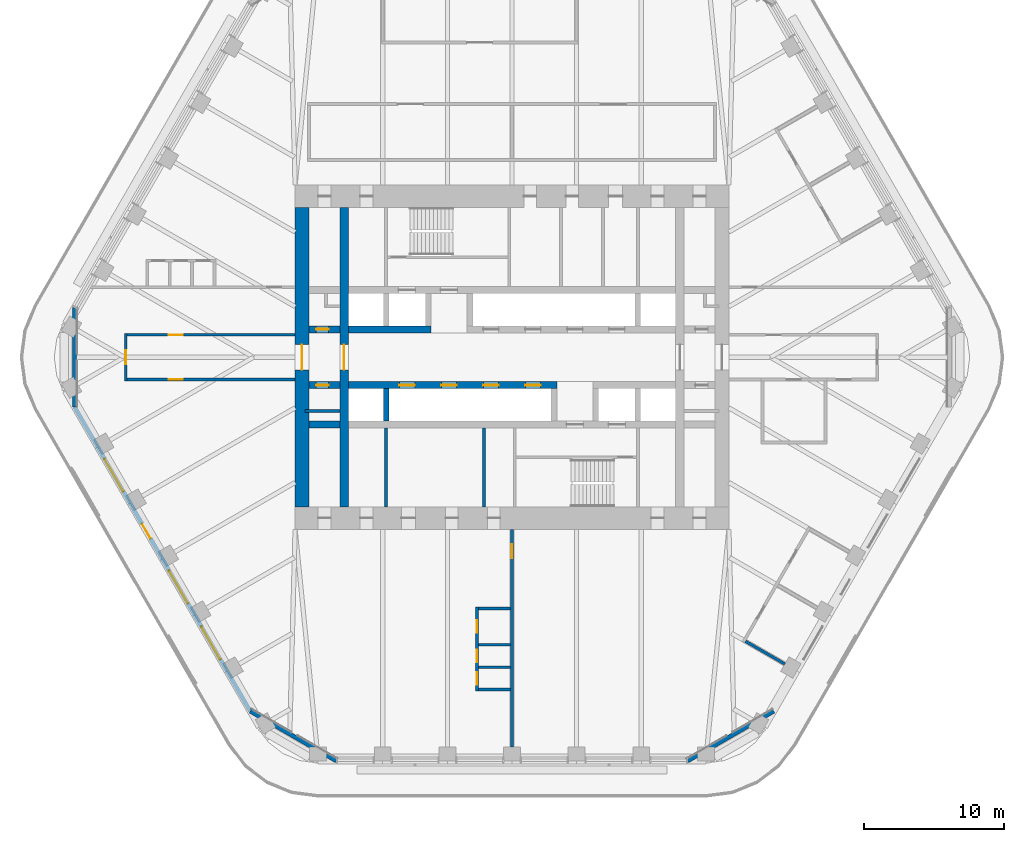
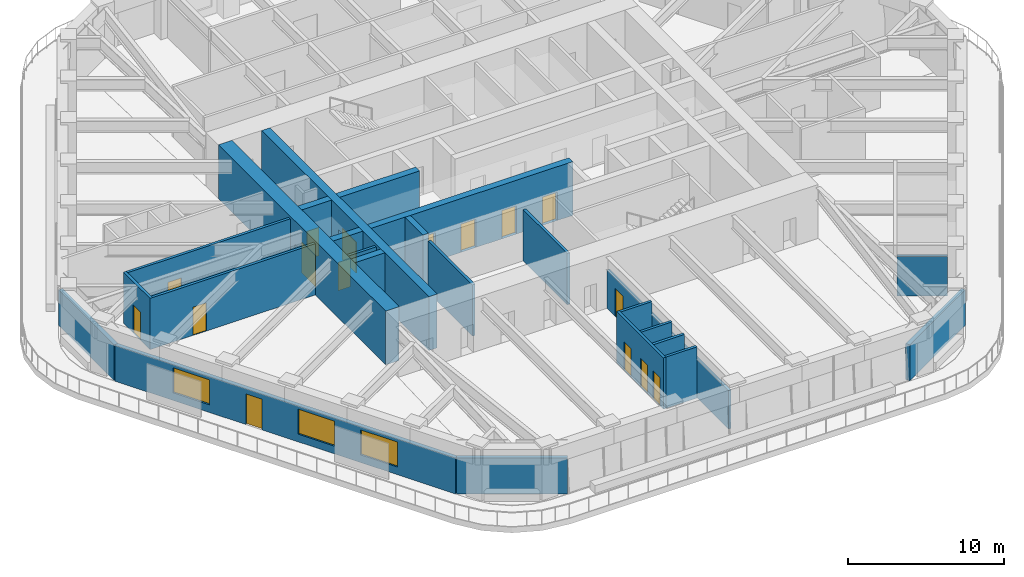
# One storey, part 14 of 20: 25 walls, 16 doors, 3 windows, 19 openings.
"""IFC4 building model written with IfcOpenShell, lengths in metres."""

from ifc_helpers import new_model, si_unit, direction, frame, frame_2d, origin, place, context, subcontext, project, spatial, rectangle, extrude, material, layer, layer_set, type_object, element, fill, save


model = new_model("IFC4")

# Units and contexts
model_context = context("Model", 3, precision=1e-05, world=origin(), true_north=direction((0.0, 1.0)))
body_context = subcontext(model_context, "Body", "Model", "MODEL_VIEW")
ifc_project = project(units=[si_unit("LENGTHUNIT", "METRE"), si_unit("AREAUNIT", "SQUARE_METRE"), si_unit("VOLUMEUNIT", "CUBIC_METRE"), si_unit("PLANEANGLEUNIT", "RADIAN"), si_unit("MASSUNIT", "GRAM", prefix="KILO")], contexts=[model_context])

# Site, building, storey
site_placement = place(None, origin())
site = spatial("IfcSite", under=ifc_project, at=site_placement, CompositionType="ELEMENT")
building_placement = place(site_placement, origin())
building = spatial("IfcBuilding", under=site, at=building_placement, Name="Tarfa Lantern Tower", CompositionType="ELEMENT")
storey_placement = place(building_placement, frame((0.0, 0.0, 274.300048828125)))
storey = spatial("IfcBuildingStorey", under=building, at=storey_placement, Name="L62", CompositionType="ELEMENT", Elevation=274.300048828125)

# Walls
ifc_material_1 = material(Name="Limestone cladding on blockwork", Category="masonry")
ifc_layer_1 = layer(ifc_material_1, 0.300048828125)
ifc_layer_set_1 = layer_set([ifc_layer_1], Name="EW1 STONE-CLAD WALL 300")
wall_type_1 = type_object("IfcWallType", Name="EW1 STONE-CLAD WALL 300", PredefinedType="SOLIDWALL", material=ifc_layer_set_1)
wall_1_placement = place(storey_placement, frame((-31.262939453125, 3.55078125, 0.0), z_axis=(0.0, 0.0, 1.0), x_axis=(0.0, -1.0, 0.0)))
element("IfcWall", 1, at=wall_1_placement, inside=storey, type_object=wall_type_1, Name="Garden wall NW-SW", PredefinedType="SOLIDWALL", context=body_context, shape_type="SweptSolid", body=[
    extrude(rectangle(XDim=7.1015625, YDim=0.300048828125, at=frame_2d((3.55078125, 0.0))), origin(), (0.0, 0.0, 1.0), 2.800048828125),
])
for number, where, z_axis, x_axis, name in (
    (2, (-18.70654296875, -25.299072265625, 0.0), (0.0, 0.0, 1.0), (0.866010973379, -0.500024993363, 0.0), "Garden wall SW-S"),
    (3, (12.556396484375, -28.85009765625, 0.0), (0.0, 0.0, 1.0), (0.866010973379, 0.500024993363, 0.0), "Garden wall S-SE"),
):
    element("IfcWall", number, at=place(storey_placement, frame(where, z_axis=z_axis, x_axis=x_axis)), inside=storey, type_object=wall_type_1, Name=name, PredefinedType="SOLIDWALL", context=body_context, shape_type="SweptSolid", body=[
        extrude(rectangle(XDim=7.101806640625, YDim=0.300048828125, at=frame_2d((3.55078125, 0.0))), origin(), (0.0, 0.0, 1.0), 2.800048828125),
    ])

# Wall, openings, door, windows
wall_2_placement = place(storey_placement, frame((-31.262939453125, -3.55078125, 0.0), z_axis=(0.0, 0.0, 1.0), x_axis=(0.500000442367, -0.866025148383, 0.0)))
wall_2 = element("IfcWall", 4, at=wall_2_placement, inside=storey, type_object=wall_type_1, Name="Stone wall SW", PredefinedType="SOLIDWALL", context=body_context, shape_type="SweptSolid", body=[
    extrude(rectangle(XDim=25.11279296875, YDim=0.300048828125, at=frame_2d((12.556396484375, 0.0))), origin(), (0.0, 0.0, 1.0), 2.800048828125),
])
opening_1_placement = place(wall_2_placement, frame((4.2783203125, 0.0, 0.60009765625)))
opening_1 = element("IfcOpeningElement", 5, at=opening_1_placement, cuts=wall_2, Name="Opening W14", PredefinedType="OPENING", context=body_context, shape_type="SweptSolid", body=[
    extrude(rectangle(XDim=2.699951171875, YDim=1.949951171875, at=frame_2d((1.35009765625, 0.97509765625))), frame((0.0, 0.159912109375, 0.0), z_axis=(0.0, -1.0, 0.0), x_axis=(1.0, 0.0, 0.0)), (0.0, 0.0, 1.0), 0.320068359375),
])
opening_2_placement = place(wall_2_placement, frame((9.64697265625, 0.0, 0.0)))
opening_2 = element("IfcOpeningElement", 6, at=opening_2_placement, cuts=wall_2, Name="Opening D52", PredefinedType="OPENING", context=body_context, shape_type="SweptSolid", body=[
    extrude(rectangle(XDim=1.199951171875, YDim=2.39990234375, at=frame_2d((0.60009765625, 1.199951171875))), frame((0.0, 0.159912109375, 0.0), z_axis=(0.0, -1.0, 0.0), x_axis=(1.0, 0.0, 0.0)), (0.0, 0.0, 1.0), 0.320068359375),
])
opening_3_placement = place(wall_2_placement, frame((13.515869140625, 0.0, 0.60009765625)))
opening_3 = element("IfcOpeningElement", 7, at=opening_3_placement, cuts=wall_2, Name="Opening W14", PredefinedType="OPENING", context=body_context, shape_type="SweptSolid", body=[
    extrude(rectangle(XDim=2.699951171875, YDim=1.949951171875, at=frame_2d((1.35009765625, 0.97509765625))), frame((0.0, 0.159912109375, 0.0), z_axis=(0.0, -1.0, 0.0), x_axis=(1.0, 0.0, 0.0)), (0.0, 0.0, 1.0), 0.320068359375),
])
opening_4_placement = place(wall_2_placement, frame((18.134521484375, 0.0, 0.60009765625)))
opening_4 = element("IfcOpeningElement", 8, at=opening_4_placement, cuts=wall_2, Name="Opening W14", PredefinedType="OPENING", context=body_context, shape_type="SweptSolid", body=[
    extrude(rectangle(XDim=2.699951171875, YDim=1.949951171875, at=frame_2d((1.35009765625, 0.97509765625))), frame((0.0, 0.159912109375, 0.0), z_axis=(0.0, -1.0, 0.0), x_axis=(1.0, 0.0, 0.0)), (0.0, 0.0, 1.0), 0.320068359375),
])
ifc_material_2 = material(Name="Aluminium framed glazed door", Category="aluminium")
door_type_1 = type_object("IfcDoorType", Name="BE3 BALCONY DOOR 1200x2400", OperationType="SINGLE_SWING_RIGHT", PredefinedType="DOOR", material=ifc_material_2)
door_1_placement = place(opening_2_placement, origin())
door_1 = element("IfcDoor", 9, at=door_1_placement, inside=storey, type_object=door_type_1, Name="Balcony door SW", OperationType="SINGLE_SWING_RIGHT", OverallHeight=2.39990234375, OverallWidth=1.199951171875, PredefinedType="DOOR", context=body_context, shape_type="SweptSolid", body=[
    extrude(rectangle(XDim=1.199951171875, YDim=2.39990234375, at=frame_2d((0.60009765625, 1.199951171875))), frame((0.0, 0.02490234375, 0.0), z_axis=(0.0, -1.0, 0.0), x_axis=(1.0, 0.0, 0.0)), (0.0, 0.0, 1.0), 0.050048828125),
])
fill(opening_2, door_1)
ifc_material_3 = material(Name="Aluminium frame, double glazed", Category="aluminium")
window_type = type_object("IfcWindowType", Name="W14 FULL-HEIGHT GLAZING 2700x1950", PartitioningType="SINGLE_PANEL", PredefinedType="WINDOW", material=ifc_material_3)
window_1_placement = place(opening_1_placement, origin())
window_1 = element("IfcWindow", 10, at=window_1_placement, inside=storey, type_object=window_type, Name="Window SW 2", OverallHeight=1.949951171875, OverallWidth=2.699951171875, PartitioningType="SINGLE_PANEL", PredefinedType="WINDOW", context=body_context, shape_type="SweptSolid", body=[
    extrude(rectangle(XDim=2.699951171875, YDim=1.949951171875, at=frame_2d((1.35009765625, 0.97509765625))), frame((0.0, 0.030029296875, 0.0), z_axis=(0.0, -1.0, 0.0), x_axis=(1.0, 0.0, 0.0)), (0.0, 0.0, 1.0), 0.06005859375),
])
fill(opening_1, window_1)
window_2_placement = place(opening_3_placement, origin())
window_2 = element("IfcWindow", 11, at=window_2_placement, inside=storey, type_object=window_type, Name="Window SW 4", OverallHeight=1.949951171875, OverallWidth=2.699951171875, PartitioningType="SINGLE_PANEL", PredefinedType="WINDOW", context=body_context, shape_type="SweptSolid", body=[
    extrude(rectangle(XDim=2.699951171875, YDim=1.949951171875, at=frame_2d((1.35009765625, 0.97509765625))), frame((0.0, 0.030029296875, 0.0), z_axis=(0.0, -1.0, 0.0), x_axis=(1.0, 0.0, 0.0)), (0.0, 0.0, 1.0), 0.06005859375),
])
fill(opening_3, window_2)
window_3_placement = place(opening_4_placement, origin())
window_3 = element("IfcWindow", 12, at=window_3_placement, inside=storey, type_object=window_type, Name="Window SW 5", OverallHeight=1.949951171875, OverallWidth=2.699951171875, PartitioningType="SINGLE_PANEL", PredefinedType="WINDOW", context=body_context, shape_type="SweptSolid", body=[
    extrude(rectangle(XDim=2.699951171875, YDim=1.949951171875, at=frame_2d((1.35009765625, 0.97509765625))), frame((0.0, 0.030029296875, 0.0), z_axis=(0.0, -1.0, 0.0), x_axis=(1.0, 0.0, 0.0)), (0.0, 0.0, 1.0), 0.06005859375),
])
fill(opening_4, window_3)

# Walls
ifc_material_4 = material(Name="Concrete blockwork", Category="masonry")
ifc_layer_2 = layer(ifc_material_4, 0.199951171875)
ifc_layer_set_2 = layer_set([ifc_layer_2], Name="IW1 BLOCKWORK PARTITION 200 EI 120")
wall_type_2 = type_object("IfcWallType", Name="IW1 BLOCKWORK PARTITION 200 EI 120", PredefinedType="PARTITIONING", material=ifc_layer_set_2)
for number, where, z_axis, x_axis, name in (
    (13, (-9.0, -5.050048828125, 0.0), (0.0, 0.0, 1.0), (0.0, -1.0, 0.0), "Core partition"),
    (14, (-2.0, -5.050048828125, 0.0), (0.0, 0.0, 1.0), (0.0, -1.0, 0.0), "Core partition"),
):
    element("IfcWall", number, at=place(storey_placement, frame(where, z_axis=z_axis, x_axis=x_axis)), inside=storey, type_object=wall_type_2, Name=name, PredefinedType="PARTITIONING", context=body_context, shape_type="SweptSolid", body=[
        extrude(rectangle(XDim=5.64990234375, YDim=0.199951171875, at=frame_2d((2.824951171875, 0.0))), origin(), (0.0, 0.0, 1.0), 4.0),
    ])
wall_3_placement = place(storey_placement, frame((-12.300048828125, -3.85009765625, 0.0), z_axis=(0.0, 0.0, 1.0), x_axis=(-1.0, 0.0, 0.0)))
element("IfcWall", 15, at=wall_3_placement, inside=storey, type_object=wall_type_2, Name="Core partition", PredefinedType="PARTITIONING", context=body_context, shape_type="SweptSolid", body=[
    extrude(rectangle(XDim=2.5, YDim=0.199951171875, at=frame_2d((1.25, 0.0))), origin(), (0.0, 0.0, 1.0), 4.0),
])
ifc_material_5 = material(Name="Gypsum board on steel studs", Category="steel")
ifc_layer_3 = layer(ifc_material_5, 0.2099609375)
ifc_layer_set_3 = layer_set([ifc_layer_3], Name="IW2 ACOUSTIC PARTITION 200")
wall_type_3 = type_object("IfcWallType", Name="IW2 ACOUSTIC PARTITION 200", PredefinedType="PARTITIONING", material=ifc_layer_set_3)
wall_4_placement = place(storey_placement, frame((16.685302734375, -20.300048828125, 0.0), z_axis=(0.0, 0.0, 1.0), x_axis=(0.866034226713, -0.499984717929, 0.0)))
element("IfcWall", 16, at=wall_4_placement, inside=storey, type_object=wall_type_3, Name="Partition", PredefinedType="PARTITIONING", context=body_context, shape_type="SweptSolid", body=[
    extrude(rectangle(XDim=3.25, YDim=0.199951171875, at=frame_2d((1.625, 0.0))), origin(), (0.0, 0.0, 1.0), 3.08154296875),
])

# Wall, opening, door
wall_5_placement = place(storey_placement, frame((-15.5, 1.60009765625, 0.0), z_axis=(0.0, 0.0, 1.0), x_axis=(-1.0, 0.0, 0.0)))
wall_5 = element("IfcWall", 17, at=wall_5_placement, inside=storey, type_object=wall_type_3, Name="Partition", PredefinedType="PARTITIONING", context=body_context, shape_type="SweptSolid", body=[
    extrude(rectangle(XDim=12.199951171875, YDim=0.199951171875, at=frame_2d((6.10009765625, 0.0))), origin(), (0.0, 0.0, 1.0), 4.0),
])
opening_5_placement = place(wall_5_placement, frame((8.0400390625, 0.0, 0.0)))
opening_5 = element("IfcOpeningElement", 18, at=opening_5_placement, cuts=wall_5, Name="Opening D45", PredefinedType="OPENING", context=body_context, shape_type="SweptSolid", body=[
    extrude(rectangle(XDim=1.0, YDim=2.199951171875, at=frame_2d((0.5, 1.10009765625))), frame((0.0, 0.10986328125, 0.0), z_axis=(0.0, -1.0, 0.0), x_axis=(1.0, 0.0, 0.0)), (0.0, 0.0, 1.0), 0.219970703125),
])
ifc_material_6 = material(Name="Timber door", Category="wood")
door_type_2 = type_object("IfcDoorType", Name="DR1 ROOM DOOR 1000x2200", OperationType="SINGLE_SWING_LEFT", PredefinedType="DOOR", material=ifc_material_6)
door_2_placement = place(opening_5_placement, frame((1.0, 0.0, 0.0), z_axis=(0.0, 0.0, 1.0), x_axis=(-1.0, 0.0, 0.0)))
door_2 = element("IfcDoor", 19, at=door_2_placement, inside=storey, type_object=door_type_2, Name="Corridor door", OperationType="SINGLE_SWING_RIGHT", OverallHeight=2.199951171875, OverallWidth=1.0, PredefinedType="DOOR", context=body_context, shape_type="SweptSolid", body=[
    extrude(rectangle(XDim=1.0, YDim=2.199951171875, at=frame_2d((0.5, 1.10009765625))), frame((0.0, 0.02490234375, 0.0), z_axis=(0.0, -1.0, 0.0), x_axis=(1.0, 0.0, 0.0)), (0.0, 0.0, 1.0), 0.050048828125),
])
fill(opening_5, door_2)

wall_6_placement = place(storey_placement, frame((-15.5, -1.60009765625, 0.0), z_axis=(0.0, 0.0, 1.0), x_axis=(-1.0, 0.0, 0.0)))
wall_6 = element("IfcWall", 20, at=wall_6_placement, inside=storey, type_object=wall_type_3, Name="Partition", PredefinedType="PARTITIONING", context=body_context, shape_type="SweptSolid", body=[
    extrude(rectangle(XDim=12.199951171875, YDim=0.199951171875, at=frame_2d((6.10009765625, 0.0))), origin(), (0.0, 0.0, 1.0), 4.0),
])
opening_6_placement = place(wall_6_placement, frame((8.0400390625, 0.0, 0.0)))
opening_6 = element("IfcOpeningElement", 21, at=opening_6_placement, cuts=wall_6, Name="Opening D46", PredefinedType="OPENING", context=body_context, shape_type="SweptSolid", body=[
    extrude(rectangle(XDim=1.0, YDim=2.199951171875, at=frame_2d((0.5, 1.10009765625))), frame((0.0, 0.10986328125, 0.0), z_axis=(0.0, -1.0, 0.0), x_axis=(1.0, 0.0, 0.0)), (0.0, 0.0, 1.0), 0.219970703125),
])
door_3_placement = place(opening_6_placement, origin())
door_3 = element("IfcDoor", 22, at=door_3_placement, inside=storey, type_object=door_type_2, Name="Corridor door", OperationType="SINGLE_SWING_LEFT", OverallHeight=2.199951171875, OverallWidth=1.0, PredefinedType="DOOR", context=body_context, shape_type="SweptSolid", body=[
    extrude(rectangle(XDim=1.0, YDim=2.199951171875, at=frame_2d((0.5, 1.10009765625))), frame((0.0, 0.02490234375, 0.0), z_axis=(0.0, -1.0, 0.0), x_axis=(1.0, 0.0, 0.0)), (0.0, 0.0, 1.0), 0.050048828125),
])
fill(opening_6, door_3)

wall_7_placement = place(storey_placement, frame((-27.60009765625, -1.699951171875, 0.0), z_axis=(0.0, 0.0, 1.0), x_axis=(0.0, 1.0, 0.0)))
wall_7 = element("IfcWall", 23, at=wall_7_placement, inside=storey, type_object=wall_type_3, Name="Partition", PredefinedType="PARTITIONING", context=body_context, shape_type="SweptSolid", body=[
    extrude(rectangle(XDim=3.39990234375, YDim=0.199951171875, at=frame_2d((1.699951171875, 0.0))), origin(), (0.0, 0.0, 1.0), 4.0),
])
opening_7_placement = place(wall_7_placement, frame((1.199951171875, 0.0, 0.0)))
opening_7 = element("IfcOpeningElement", 24, at=opening_7_placement, cuts=wall_7, Name="Opening D44", PredefinedType="OPENING", context=body_context, shape_type="SweptSolid", body=[
    extrude(rectangle(XDim=1.0, YDim=2.199951171875, at=frame_2d((0.5, 1.10009765625))), frame((0.0, 0.10986328125, 0.0), z_axis=(0.0, -1.0, 0.0), x_axis=(1.0, 0.0, 0.0)), (0.0, 0.0, 1.0), 0.219970703125),
])
door_4_placement = place(opening_7_placement, origin())
door_4 = element("IfcDoor", 25, at=door_4_placement, inside=storey, type_object=door_type_2, Name="Corridor door", OperationType="SINGLE_SWING_RIGHT", OverallHeight=2.199951171875, OverallWidth=1.0, PredefinedType="DOOR", context=body_context, shape_type="SweptSolid", body=[
    extrude(rectangle(XDim=1.0, YDim=2.199951171875, at=frame_2d((0.5, 1.10009765625))), frame((0.0, 0.02490234375, 0.0), z_axis=(0.0, -1.0, 0.0), x_axis=(1.0, 0.0, 0.0)), (0.0, 0.0, 1.0), 0.050048828125),
])
fill(opening_7, door_4)

wall_8_placement = place(storey_placement, frame((0.0, -12.300048828125, 0.0), z_axis=(0.0, 0.0, 1.0), x_axis=(0.0, -1.0, 0.0)))
wall_8 = element("IfcWall", 26, at=wall_8_placement, inside=storey, type_object=wall_type_3, Name="Partition", PredefinedType="PARTITIONING", context=body_context, shape_type="SweptSolid", body=[
    extrude(rectangle(XDim=15.550048828125, YDim=0.199951171875, at=frame_2d((7.77490234375, 0.0))), origin(), (0.0, 0.0, 1.0), 2.991943359375),
])
opening_8_placement = place(wall_8_placement, frame((1.054931640625, 0.0, 0.0)))
opening_8 = element("IfcOpeningElement", 27, at=opening_8_placement, cuts=wall_8, Name="Opening D48", PredefinedType="OPENING", context=body_context, shape_type="SweptSolid", body=[
    extrude(rectangle(XDim=1.0, YDim=2.199951171875, at=frame_2d((0.5, 1.10009765625))), frame((0.0, 0.10986328125, 0.0), z_axis=(0.0, -1.0, 0.0), x_axis=(1.0, 0.0, 0.0)), (0.0, 0.0, 1.0), 0.219970703125),
])
door_5_placement = place(opening_8_placement, origin())
door_5 = element("IfcDoor", 28, at=door_5_placement, inside=storey, type_object=door_type_2, Name="Zone door", OperationType="SINGLE_SWING_RIGHT", OverallHeight=2.199951171875, OverallWidth=1.0, PredefinedType="DOOR", context=body_context, shape_type="SweptSolid", body=[
    extrude(rectangle(XDim=1.0, YDim=2.199951171875, at=frame_2d((0.5, 1.10009765625))), frame((0.0, 0.02490234375, 0.0), z_axis=(0.0, -1.0, 0.0), x_axis=(1.0, 0.0, 0.0)), (0.0, 0.0, 1.0), 0.050048828125),
])
fill(opening_8, door_5)

# Wall, openings, doors
wall_9_placement = place(storey_placement, frame((-2.5, -17.8525390625, 0.0), z_axis=(0.0, 0.0, 1.0), x_axis=(0.0, -1.0, 0.0)))
wall_9 = element("IfcWall", 29, at=wall_9_placement, inside=storey, type_object=wall_type_3, Name="Partition", PredefinedType="PARTITIONING", context=body_context, shape_type="SweptSolid", body=[
    extrude(rectangle(XDim=6.0, YDim=0.199951171875, at=frame_2d((3.0, 0.0))), origin(), (0.0, 0.0, 1.0), 4.0),
])
opening_9_placement = place(wall_9_placement, frame((0.949951171875, 0.0, 0.0)))
opening_9 = element("IfcOpeningElement", 30, at=opening_9_placement, cuts=wall_9, Name="Opening D35", PredefinedType="OPENING", context=body_context, shape_type="SweptSolid", body=[
    extrude(rectangle(XDim=0.89990234375, YDim=2.199951171875, at=frame_2d((0.449951171875, 1.10009765625))), frame((0.0, 0.10986328125, 0.0), z_axis=(0.0, -1.0, 0.0), x_axis=(1.0, 0.0, 0.0)), (0.0, 0.0, 1.0), 0.219970703125),
])
opening_10_placement = place(wall_9_placement, frame((3.050048828125, 0.0, 0.0)))
opening_10 = element("IfcOpeningElement", 31, at=opening_10_placement, cuts=wall_9, Name="Opening D36", PredefinedType="OPENING", context=body_context, shape_type="SweptSolid", body=[
    extrude(rectangle(XDim=0.89990234375, YDim=2.199951171875, at=frame_2d((0.449951171875, 1.10009765625))), frame((0.0, 0.10986328125, 0.0), z_axis=(0.0, -1.0, 0.0), x_axis=(1.0, 0.0, 0.0)), (0.0, 0.0, 1.0), 0.219970703125),
])
opening_11_placement = place(wall_9_placement, frame((4.64990234375, 0.0, 0.0)))
opening_11 = element("IfcOpeningElement", 32, at=opening_11_placement, cuts=wall_9, Name="Opening D37", PredefinedType="OPENING", context=body_context, shape_type="SweptSolid", body=[
    extrude(rectangle(XDim=0.89990234375, YDim=2.199951171875, at=frame_2d((0.449951171875, 1.10009765625))), frame((0.0, 0.10986328125, 0.0), z_axis=(0.0, -1.0, 0.0), x_axis=(1.0, 0.0, 0.0)), (0.0, 0.0, 1.0), 0.219970703125),
])
door_type_3 = type_object("IfcDoorType", Name="DR3 ROOM DOOR 900x2200", OperationType="SINGLE_SWING_LEFT", PredefinedType="DOOR", material=ifc_material_6)
door_6_placement = place(opening_9_placement, origin())
door_6 = element("IfcDoor", 33, at=door_6_placement, inside=storey, type_object=door_type_3, Name="Print and copy room door", OperationType="SINGLE_SWING_RIGHT", OverallHeight=2.199951171875, OverallWidth=0.89990234375, PredefinedType="DOOR", context=body_context, shape_type="SweptSolid", body=[
    extrude(rectangle(XDim=0.89990234375, YDim=2.199951171875, at=frame_2d((0.449951171875, 1.10009765625))), frame((0.0, 0.02490234375, 0.0), z_axis=(0.0, -1.0, 0.0), x_axis=(1.0, 0.0, 0.0)), (0.0, 0.0, 1.0), 0.050048828125),
])
fill(opening_9, door_6)
door_7_placement = place(opening_10_placement, origin())
door_7 = element("IfcDoor", 34, at=door_7_placement, inside=storey, type_object=door_type_3, Name="Phone booth door", OperationType="SINGLE_SWING_LEFT", OverallHeight=2.199951171875, OverallWidth=0.89990234375, PredefinedType="DOOR", context=body_context, shape_type="SweptSolid", body=[
    extrude(rectangle(XDim=0.89990234375, YDim=2.199951171875, at=frame_2d((0.449951171875, 1.10009765625))), frame((0.0, 0.02490234375, 0.0), z_axis=(0.0, -1.0, 0.0), x_axis=(1.0, 0.0, 0.0)), (0.0, 0.0, 1.0), 0.050048828125),
])
fill(opening_10, door_7)
door_8_placement = place(opening_11_placement, origin())
door_8 = element("IfcDoor", 35, at=door_8_placement, inside=storey, type_object=door_type_3, Name="Phone booth door", OperationType="SINGLE_SWING_LEFT", OverallHeight=2.199951171875, OverallWidth=0.89990234375, PredefinedType="DOOR", context=body_context, shape_type="SweptSolid", body=[
    extrude(rectangle(XDim=0.89990234375, YDim=2.199951171875, at=frame_2d((0.449951171875, 1.10009765625))), frame((0.0, 0.02490234375, 0.0), z_axis=(0.0, -1.0, 0.0), x_axis=(1.0, 0.0, 0.0)), (0.0, 0.0, 1.0), 0.050048828125),
])
fill(opening_11, door_8)

# Walls
for number, where, z_axis, x_axis, name in (
    (36, (-0.10009765625, -17.952392578125, 0.0), (0.0, 0.0, 1.0), (-1.0, 0.0, 0.0), "Partition"),
    (37, (-0.10009765625, -20.552490234375, 0.0), (0.0, 0.0, 1.0), (-1.0, 0.0, 0.0), "Partition"),
    (38, (-0.10009765625, -22.152587890625, 0.0), (0.0, 0.0, 1.0), (-1.0, 0.0, 0.0), "Partition"),
    (39, (-0.10009765625, -23.75244140625, 0.0), (0.0, 0.0, 1.0), (-1.0, 0.0, 0.0), "Partition"),
):
    element("IfcWall", number, at=place(storey_placement, frame(where, z_axis=z_axis, x_axis=x_axis)), inside=storey, type_object=wall_type_3, Name=name, PredefinedType="PARTITIONING", context=body_context, shape_type="SweptSolid", body=[
        extrude(rectangle(XDim=2.2998046875, YDim=0.199951171875, at=frame_2d((1.14990234375, 0.0))), origin(), (0.0, 0.0, 1.0), 4.0),
    ])

# Wall, opening, door
ifc_material_7 = material(Name="Concrete C80/95", Category="concrete")
ifc_layer_4 = layer(ifc_material_7, 1.0)
ifc_layer_set_4 = layer_set([ifc_layer_4], Name="SW2 CORE WALL 1000")
wall_type_4 = type_object("IfcWallType", Name="SW2 CORE WALL 1000", PredefinedType="SHEAR", material=ifc_layer_set_4)
wall_10_placement = place(storey_placement, frame((-15.0, 10.699951171875, 0.0), z_axis=(0.0, 0.0, 1.0), x_axis=(0.0, -1.0, 0.0)))
wall_10 = element("IfcWall", 40, at=wall_10_placement, inside=storey, type_object=wall_type_4, Name="Core wall W", PredefinedType="SHEAR", context=body_context, shape_type="SweptSolid", body=[
    extrude(rectangle(XDim=21.39990234375, YDim=1.0, at=frame_2d((10.699951171875, 0.0))), origin(), (0.0, 0.0, 1.0), 4.199951171875),
])
opening_12_placement = place(wall_10_placement, frame((9.800048828125, 0.0, 0.0)))
opening_12 = element("IfcOpeningElement", 41, at=opening_12_placement, cuts=wall_10, Name="Opening D12", PredefinedType="OPENING", context=body_context, shape_type="SweptSolid", body=[
    extrude(rectangle(XDim=1.800048828125, YDim=2.39990234375, at=frame_2d((0.89990234375, 1.199951171875))), frame((0.0, 0.510009765625, 0.0), z_axis=(0.0, -1.0, 0.0), x_axis=(1.0, 0.0, 0.0)), (0.0, 0.0, 1.0), 1.02001953125),
])
ifc_material_8 = material(Name="Steel fire door", Category="steel")
door_type_4 = type_object("IfcDoorType", Name="DL1 LOBBY DOOR 1800x2400", OperationType="DOUBLE_DOOR_SINGLE_SWING", PredefinedType="DOOR", material=ifc_material_8)
door_9_placement = place(opening_12_placement, frame((1.800048828125, 0.0, 0.0), z_axis=(0.0, 0.0, 1.0), x_axis=(-1.0, 0.0, 0.0)))
door_9 = element("IfcDoor", 42, at=door_9_placement, inside=storey, type_object=door_type_4, Name="Lift lobby door", OperationType="DOUBLE_DOOR_SINGLE_SWING", OverallHeight=2.39990234375, OverallWidth=1.800048828125, PredefinedType="DOOR", context=body_context, shape_type="SweptSolid", body=[
    extrude(rectangle(XDim=1.800048828125, YDim=2.39990234375, at=frame_2d((0.89990234375, 1.199951171875))), frame((0.0, 0.02490234375, 0.0), z_axis=(0.0, -1.0, 0.0), x_axis=(1.0, 0.0, 0.0)), (0.0, 0.0, 1.0), 0.050048828125),
])
fill(opening_12, door_9)

ifc_layer_5 = layer(ifc_material_7, 0.5)
ifc_layer_set_5 = layer_set([ifc_layer_5], Name="SW5 CORE WALL 500")
wall_type_5 = type_object("IfcWallType", Name="SW5 CORE WALL 500", PredefinedType="SHEAR", material=ifc_layer_set_5)
wall_11_placement = place(storey_placement, frame((-14.5, 2.0, 0.0), z_axis=(0.0, 0.0, 1.0), x_axis=(1.0, 0.0, 0.0)))
wall_11 = element("IfcWall", 43, at=wall_11_placement, inside=storey, type_object=wall_type_5, Name="Core wall lobby west N", PredefinedType="SHEAR", context=body_context, shape_type="SweptSolid", body=[
    extrude(rectangle(XDim=2.199951171875, YDim=0.5, at=frame_2d((1.10009765625, 0.0))), origin(), (0.0, 0.0, 1.0), 4.199951171875),
])
opening_13_placement = place(wall_11_placement, frame((0.5, 0.0, 0.0)))
opening_13 = element("IfcOpeningElement", 44, at=opening_13_placement, cuts=wall_11, Name="Opening D15", PredefinedType="OPENING", context=body_context, shape_type="SweptSolid", body=[
    extrude(rectangle(XDim=0.89990234375, YDim=2.199951171875, at=frame_2d((0.449951171875, 1.10009765625))), frame((0.0, 0.260009765625, 0.0), z_axis=(0.0, -1.0, 0.0), x_axis=(1.0, 0.0, 0.0)), (0.0, 0.0, 1.0), 0.52001953125),
])
door_type_5 = type_object("IfcDoorType", Name="DF6 SERVICE ROOM DOOR 900x2200", OperationType="SINGLE_SWING_LEFT", PredefinedType="DOOR", material=ifc_material_8)
door_10_placement = place(opening_13_placement, origin())
door_10 = element("IfcDoor", 45, at=door_10_placement, inside=storey, type_object=door_type_5, Name="Service room door", OperationType="SINGLE_SWING_RIGHT", OverallHeight=2.199951171875, OverallWidth=0.89990234375, PredefinedType="DOOR", context=body_context, shape_type="SweptSolid", body=[
    extrude(rectangle(XDim=0.89990234375, YDim=2.199951171875, at=frame_2d((0.449951171875, 1.10009765625))), frame((0.0, 0.02490234375, 0.0), z_axis=(0.0, -1.0, 0.0), x_axis=(1.0, 0.0, 0.0)), (0.0, 0.0, 1.0), 0.050048828125),
])
fill(opening_13, door_10)

# Wall
wall_12_placement = place(storey_placement, frame((-11.699951171875, 2.0, 0.0), z_axis=(0.0, 0.0, 1.0), x_axis=(1.0, 0.0, 0.0)))
element("IfcWall", 46, at=wall_12_placement, inside=storey, type_object=wall_type_5, Name="Core wall lobby west N", PredefinedType="SHEAR", context=body_context, shape_type="SweptSolid", body=[
    extrude(rectangle(XDim=5.89990234375, YDim=0.5, at=frame_2d((2.949951171875, 0.0))), origin(), (0.0, 0.0, 1.0), 4.199951171875),
])

# Wall, openings, doors
wall_13_placement = place(storey_placement, frame((3.199951171875, -2.0, 0.0), z_axis=(0.0, 0.0, 1.0), x_axis=(-1.0, 0.0, 0.0)))
wall_13 = element("IfcWall", 47, at=wall_13_placement, inside=storey, type_object=wall_type_5, Name="Core wall lobby east S", PredefinedType="SHEAR", context=body_context, shape_type="SweptSolid", body=[
    extrude(rectangle(XDim=14.89990234375, YDim=0.5, at=frame_2d((7.449951171875, 0.0))), origin(), (0.0, 0.0, 1.0), 4.199951171875),
])
opening_14_placement = place(wall_13_placement, frame((1.14990234375, 0.0, 0.0)))
opening_14 = element("IfcOpeningElement", 48, at=opening_14_placement, cuts=wall_13, Name="Opening LD07", PredefinedType="OPENING", context=body_context, shape_type="SweptSolid", body=[
    extrude(rectangle(XDim=1.10009765625, YDim=2.199951171875, at=frame_2d((0.550048828125, 1.10009765625))), frame((0.0, 0.260009765625, 0.0), z_axis=(0.0, -1.0, 0.0), x_axis=(1.0, 0.0, 0.0)), (0.0, 0.0, 1.0), 0.52001953125),
])
opening_15_placement = place(wall_13_placement, frame((4.14990234375, 0.0, 0.0)))
opening_15 = element("IfcOpeningElement", 49, at=opening_15_placement, cuts=wall_13, Name="Opening LD08", PredefinedType="OPENING", context=body_context, shape_type="SweptSolid", body=[
    extrude(rectangle(XDim=1.10009765625, YDim=2.199951171875, at=frame_2d((0.550048828125, 1.10009765625))), frame((0.0, 0.260009765625, 0.0), z_axis=(0.0, -1.0, 0.0), x_axis=(1.0, 0.0, 0.0)), (0.0, 0.0, 1.0), 0.52001953125),
])
opening_16_placement = place(wall_13_placement, frame((7.14990234375, 0.0, 0.0)))
opening_16 = element("IfcOpeningElement", 50, at=opening_16_placement, cuts=wall_13, Name="Opening LD09", PredefinedType="OPENING", context=body_context, shape_type="SweptSolid", body=[
    extrude(rectangle(XDim=1.10009765625, YDim=2.199951171875, at=frame_2d((0.550048828125, 1.10009765625))), frame((0.0, 0.260009765625, 0.0), z_axis=(0.0, -1.0, 0.0), x_axis=(1.0, 0.0, 0.0)), (0.0, 0.0, 1.0), 0.52001953125),
])
opening_17_placement = place(wall_13_placement, frame((10.14990234375, 0.0, 0.0)))
opening_17 = element("IfcOpeningElement", 51, at=opening_17_placement, cuts=wall_13, Name="Opening LD10", PredefinedType="OPENING", context=body_context, shape_type="SweptSolid", body=[
    extrude(rectangle(XDim=1.10009765625, YDim=2.199951171875, at=frame_2d((0.550048828125, 1.10009765625))), frame((0.0, 0.260009765625, 0.0), z_axis=(0.0, -1.0, 0.0), x_axis=(1.0, 0.0, 0.0)), (0.0, 0.0, 1.0), 0.52001953125),
])
ifc_material_9 = material(Name="Stainless steel lift door", Category="steel")
door_type_6 = type_object("IfcDoorType", Name="LD2 LIFT LANDING DOOR 1100x2200", OperationType="SLIDING_TO_LEFT", PredefinedType="DOOR", material=ifc_material_9)
door_11_placement = place(opening_14_placement, frame((1.10009765625, 0.0, 0.0), z_axis=(0.0, 0.0, 1.0), x_axis=(-1.0, 0.0, 0.0)))
door_11 = element("IfcDoor", 52, at=door_11_placement, inside=storey, type_object=door_type_6, Name="Landing door PC5", OperationType="SLIDING_TO_LEFT", OverallHeight=2.199951171875, OverallWidth=1.10009765625, PredefinedType="DOOR", context=body_context, shape_type="SweptSolid", body=[
    extrude(rectangle(XDim=1.10009765625, YDim=2.199951171875, at=frame_2d((0.550048828125, 1.10009765625))), frame((0.0, 0.02490234375, 0.0), z_axis=(0.0, -1.0, 0.0), x_axis=(1.0, 0.0, 0.0)), (0.0, 0.0, 1.0), 0.050048828125),
])
fill(opening_14, door_11)
door_12_placement = place(opening_15_placement, frame((1.10009765625, 0.0, 0.0), z_axis=(0.0, 0.0, 1.0), x_axis=(-1.0, 0.0, 0.0)))
door_12 = element("IfcDoor", 53, at=door_12_placement, inside=storey, type_object=door_type_6, Name="Landing door PC6", OperationType="SLIDING_TO_LEFT", OverallHeight=2.199951171875, OverallWidth=1.10009765625, PredefinedType="DOOR", context=body_context, shape_type="SweptSolid", body=[
    extrude(rectangle(XDim=1.10009765625, YDim=2.199951171875, at=frame_2d((0.550048828125, 1.10009765625))), frame((0.0, 0.02490234375, 0.0), z_axis=(0.0, -1.0, 0.0), x_axis=(1.0, 0.0, 0.0)), (0.0, 0.0, 1.0), 0.050048828125),
])
fill(opening_15, door_12)
door_13_placement = place(opening_16_placement, frame((1.10009765625, 0.0, 0.0), z_axis=(0.0, 0.0, 1.0), x_axis=(-1.0, 0.0, 0.0)))
door_13 = element("IfcDoor", 54, at=door_13_placement, inside=storey, type_object=door_type_6, Name="Landing door PC7", OperationType="SLIDING_TO_LEFT", OverallHeight=2.199951171875, OverallWidth=1.10009765625, PredefinedType="DOOR", context=body_context, shape_type="SweptSolid", body=[
    extrude(rectangle(XDim=1.10009765625, YDim=2.199951171875, at=frame_2d((0.550048828125, 1.10009765625))), frame((0.0, 0.02490234375, 0.0), z_axis=(0.0, -1.0, 0.0), x_axis=(1.0, 0.0, 0.0)), (0.0, 0.0, 1.0), 0.050048828125),
])
fill(opening_16, door_13)
door_14_placement = place(opening_17_placement, frame((1.10009765625, 0.0, 0.0), z_axis=(0.0, 0.0, 1.0), x_axis=(-1.0, 0.0, 0.0)))
door_14 = element("IfcDoor", 55, at=door_14_placement, inside=storey, type_object=door_type_6, Name="Landing door PC8", OperationType="SLIDING_TO_LEFT", OverallHeight=2.199951171875, OverallWidth=1.10009765625, PredefinedType="DOOR", context=body_context, shape_type="SweptSolid", body=[
    extrude(rectangle(XDim=1.10009765625, YDim=2.199951171875, at=frame_2d((0.550048828125, 1.10009765625))), frame((0.0, 0.02490234375, 0.0), z_axis=(0.0, -1.0, 0.0), x_axis=(1.0, 0.0, 0.0)), (0.0, 0.0, 1.0), 0.050048828125),
])
fill(opening_17, door_14)

# Wall, opening, door
wall_14_placement = place(storey_placement, frame((-12.300048828125, -2.0, 0.0), z_axis=(0.0, 0.0, 1.0), x_axis=(-1.0, 0.0, 0.0)))
wall_14 = element("IfcWall", 56, at=wall_14_placement, inside=storey, type_object=wall_type_5, Name="Core wall lobby east S", PredefinedType="SHEAR", context=body_context, shape_type="SweptSolid", body=[
    extrude(rectangle(XDim=2.199951171875, YDim=0.5, at=frame_2d((1.10009765625, 0.0))), origin(), (0.0, 0.0, 1.0), 4.199951171875),
])
opening_18_placement = place(wall_14_placement, frame((0.800048828125, 0.0, 0.0)))
opening_18 = element("IfcOpeningElement", 57, at=opening_18_placement, cuts=wall_14, Name="Opening D14", PredefinedType="OPENING", context=body_context, shape_type="SweptSolid", body=[
    extrude(rectangle(XDim=0.89990234375, YDim=2.199951171875, at=frame_2d((0.449951171875, 1.10009765625))), frame((0.0, 0.260009765625, 0.0), z_axis=(0.0, -1.0, 0.0), x_axis=(1.0, 0.0, 0.0)), (0.0, 0.0, 1.0), 0.52001953125),
])
door_15_placement = place(opening_18_placement, origin())
door_15 = element("IfcDoor", 58, at=door_15_placement, inside=storey, type_object=door_type_5, Name="Service room door", OperationType="SINGLE_SWING_LEFT", OverallHeight=2.199951171875, OverallWidth=0.89990234375, PredefinedType="DOOR", context=body_context, shape_type="SweptSolid", body=[
    extrude(rectangle(XDim=0.89990234375, YDim=2.199951171875, at=frame_2d((0.449951171875, 1.10009765625))), frame((0.0, 0.02490234375, 0.0), z_axis=(0.0, -1.0, 0.0), x_axis=(1.0, 0.0, 0.0)), (0.0, 0.0, 1.0), 0.050048828125),
])
fill(opening_18, door_15)

# Walls
wall_15_placement = place(storey_placement, frame((-12.300048828125, -4.800048828125, 0.0), z_axis=(0.0, 0.0, 1.0), x_axis=(-1.0, 0.0, 0.0)))
element("IfcWall", 59, at=wall_15_placement, inside=storey, type_object=wall_type_5, Name="Core wall rear S", PredefinedType="SHEAR", context=body_context, shape_type="SweptSolid", body=[
    extrude(rectangle(XDim=2.199951171875, YDim=0.5, at=frame_2d((1.10009765625, 0.0))), origin(), (0.0, 0.0, 1.0), 4.199951171875),
])
ifc_layer_6 = layer(ifc_material_7, 0.39990234375)
ifc_layer_set_6 = layer_set([ifc_layer_6], Name="SW6 CORE WALL 400")
wall_type_6 = type_object("IfcWallType", Name="SW6 CORE WALL 400", PredefinedType="SHEAR", material=ifc_layer_set_6)
wall_16_placement = place(storey_placement, frame((-9.0, -2.25, 0.0), z_axis=(0.0, 0.0, 1.0), x_axis=(0.0, -1.0, 0.0)))
element("IfcWall", 60, at=wall_16_placement, inside=storey, type_object=wall_type_6, Name="Core wall divider S", PredefinedType="SHEAR", context=body_context, shape_type="SweptSolid", body=[
    extrude(rectangle(XDim=2.300048828125, YDim=0.39990234375, at=frame_2d((1.14990234375, 0.0))), origin(), (0.0, 0.0, 1.0), 4.199951171875),
])

# Wall, opening, door
ifc_layer_7 = layer(ifc_material_7, 0.60009765625)
ifc_layer_set_7 = layer_set([ifc_layer_7], Name="SW9 CORE WALL 600")
wall_type_7 = type_object("IfcWallType", Name="SW9 CORE WALL 600", PredefinedType="SHEAR", material=ifc_layer_set_7)
wall_17_placement = place(storey_placement, frame((-12.0, -10.699951171875, 0.0), z_axis=(0.0, 0.0, 1.0), x_axis=(0.0, 1.0, 0.0)))
wall_17 = element("IfcWall", 61, at=wall_17_placement, inside=storey, type_object=wall_type_7, Name="Core wall cross 12 m west", PredefinedType="SHEAR", context=body_context, shape_type="SweptSolid", body=[
    extrude(rectangle(XDim=21.39990234375, YDim=0.60009765625, at=frame_2d((10.699951171875, 0.0))), origin(), (0.0, 0.0, 1.0), 4.199951171875),
])
opening_19_placement = place(wall_17_placement, frame((9.800048828125, 0.0, 0.0)))
opening_19 = element("IfcOpeningElement", 62, at=opening_19_placement, cuts=wall_17, Name="Opening D26", PredefinedType="OPENING", context=body_context, shape_type="SweptSolid", body=[
    extrude(rectangle(XDim=1.800048828125, YDim=2.39990234375, at=frame_2d((0.89990234375, 1.199951171875))), frame((0.0, 0.31005859375, 0.0), z_axis=(0.0, -1.0, 0.0), x_axis=(1.0, 0.0, 0.0)), (0.0, 0.0, 1.0), 0.6201171875),
])
door_16_placement = place(opening_19_placement, origin())
door_16 = element("IfcDoor", 63, at=door_16_placement, inside=storey, type_object=door_type_4, Name="Lift lobby door", OperationType="DOUBLE_DOOR_SINGLE_SWING", OverallHeight=2.39990234375, OverallWidth=1.800048828125, PredefinedType="DOOR", context=body_context, shape_type="SweptSolid", body=[
    extrude(rectangle(XDim=1.800048828125, YDim=2.39990234375, at=frame_2d((0.89990234375, 1.199951171875))), frame((0.0, 0.02490234375, 0.0), z_axis=(0.0, -1.0, 0.0), x_axis=(1.0, 0.0, 0.0)), (0.0, 0.0, 1.0), 0.050048828125),
])
fill(opening_19, door_16)

save(model, "model.ifc")
